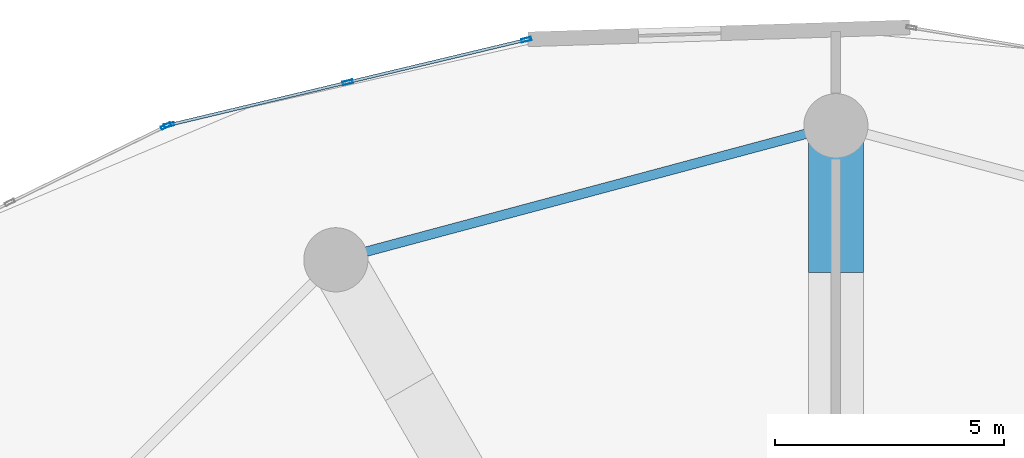
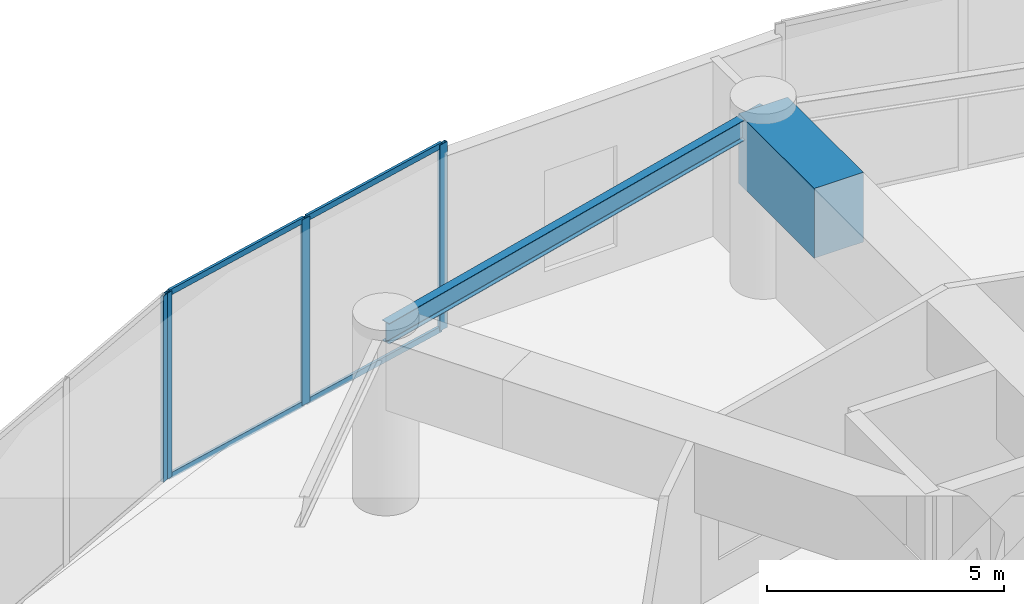
# One storey, part 16 of 27: 8 members, 2 beams, 2 elements without a shape of their own.
"""IFC4 building model written with IfcOpenShell, lengths in metres."""

from ifc_helpers import new_model, si_unit, direction, frame, origin, origin_2d, place, context, subcontext, project, spatial, rectangle, hollow_rectangle, i_section, extrude, source, transform, mapped, material, layer, layer_set, material_profile, profile_set, type_object, element, aggregate, save


model = new_model("IFC4")

# Units and contexts
model_context = context("Model", 3, precision=1e-05, world=origin(), true_north=direction((0.0, 1.0)))
body_context = subcontext(model_context, "Body", "Model", "MODEL_VIEW")
ifc_project = project(units=[si_unit("LENGTHUNIT", "METRE"), si_unit("AREAUNIT", "SQUARE_METRE"), si_unit("VOLUMEUNIT", "CUBIC_METRE"), si_unit("PLANEANGLEUNIT", "RADIAN"), si_unit("MASSUNIT", "GRAM", prefix="KILO")], contexts=[model_context])

# Site, building, storey
site_placement = place(None, origin())
site = spatial("IfcSite", under=ifc_project, at=site_placement, CompositionType="ELEMENT")
building_placement = place(site_placement, origin())
building = spatial("IfcBuilding", under=site, at=building_placement, Name="Solvirekh Grand Hotel", CompositionType="ELEMENT")
storey_placement = place(building_placement, frame((0.0, 0.0, 23.60009765625)))
storey = spatial("IfcBuildingStorey", under=building, at=storey_placement, Name="L04", CompositionType="ELEMENT", Elevation=23.60009765625)

# Beams
ifc_material_1 = material(Name="Steel S355", Category="steel")
ifc_material_profile_1 = material_profile(ifc_material_1, i_section(OverallWidth=0.208984375, OverallDepth=0.532958984375, WebThickness=0.010009765625, FlangeThickness=0.014892578125, FilletRadius=0.013916015625, at=origin_2d()), Name="W530X92")
ifc_profile_set_1 = profile_set([ifc_material_profile_1], Name="Steel S355")
beam_type_1 = type_object("IfcBeamType", Name="Spandrel_Ring_W530", PredefinedType="SPANDREL", material=ifc_profile_set_1)
beam_1_placement = place(storey_placement, frame((0.0, 21.800048828125, 4.27294921875), z_axis=(-0.965914248703, -0.258862249378, 0.0), x_axis=(0.258862249378, -0.965914248703, 0.0)))
element("IfcBeam", 1, at=beam_1_placement, inside=storey, type_object=beam_type_1, Name="L04 perimeter spandrel beam 4", PredefinedType="SPANDREL", context=body_context, shape_type="SweptSolid", body=[
    extrude(i_section(OverallWidth=0.208984375, OverallDepth=0.532958984375, WebThickness=0.010009765625, FlangeThickness=0.014892578125, FilletRadius=0.013916015625, at=origin_2d()), origin(), (0.0, 0.0, 1.0), 11.284423828125),
])
ifc_material_2 = material(Name="Concrete C60/75", Category="concrete")
ifc_material_profile_2 = material_profile(ifc_material_2, rectangle(XDim=1.199951171875, YDim=1.800048828125, at=origin_2d()), Name="RC GIRDER 1200X1800")
ifc_profile_set_2 = profile_set([ifc_material_profile_2], Name="Concrete C60/75")
beam_type_2 = type_object("IfcBeamType", Name="TransferGirder_RC1800", PredefinedType="USERDEFINED", material=ifc_profile_set_2)
beam_2_placement = place(storey_placement, frame((0.0, 18.60009765625, 3.639892578125), z_axis=(0.0, 1.0, 0.0), x_axis=(-1.0, 0.0, 0.0)))
element("IfcBeam", 2, at=beam_2_placement, inside=storey, type_object=beam_type_2, Name="L04 outer radial transfer girder 4B", ObjectType="TRANSFER GIRDER", PredefinedType="USERDEFINED", context=body_context, shape_type="SweptSolid", body=[
    extrude(rectangle(XDim=1.199951171875, YDim=1.800048828125, at=origin_2d()), origin(), (0.0, 0.0, 1.0), 3.199951171875),
])

# Curtain wall, members
ifc_material_3 = material(Name="Anodized Bronze Aluminium 6063-T6", Category="aluminium")
ifc_layer = layer(ifc_material_3, 0.219970703125)
ifc_layer_set = layer_set([ifc_layer], Name="Anodized Bronze Aluminium 6063-T6")
curtain_wall_type = type_object("IfcCurtainWallType", Name="CW_Sys1_PodiumBronzeUnitised", PredefinedType="NOTDEFINED", material=ifc_layer_set)
curtain_wall_1_placement = place(storey_placement, origin())
curtain_wall_1 = element("IfcCurtainWall", 3, at=curtain_wall_1_placement, inside=storey, type_object=curtain_wall_type, Name="L04 unitised bronze-glass curtain wall CW-L04-C08", PredefinedType="NOTDEFINED")
ifc_material_profile_3 = material_profile(ifc_material_3, hollow_rectangle(XDim=0.06494140625, YDim=0.14990234375, WallThickness=0.0048828125, at=origin_2d()), Name="ALU RHS 150X65X5")
ifc_profile_set_3 = profile_set([ifc_material_profile_3], Name="Anodized Bronze Aluminium 6063-T6")
member_type_1 = type_object("IfcMemberType", Name="CWTransom_Sys1", PredefinedType="USERDEFINED", material=ifc_profile_set_3)
shared_shape_1 = source(origin(), body_context, "Body", "SweptSolid", [
    extrude(hollow_rectangle(XDim=0.06494140625, YDim=0.14990234375, WallThickness=0.0048828125, at=origin_2d()), origin(), (0.0, 0.0, 1.0), 3.92822265625),
])
member_1_placement = place(storey_placement, frame((-6.783935546875, 23.66748046875, 0.032470703125), z_axis=(-0.972686054786, -0.23212461917, 0.0), x_axis=(0.23212461917, -0.972686054786, 0.0)))
member_1 = element("IfcMember", 4, at=member_1_placement, type_object=member_type_1, Name="U01 transom 1.1", ObjectType="TRANSOM", PredefinedType="USERDEFINED", context=body_context, shape_type="MappedRepresentation", body=[
    mapped(shared_shape_1, transform((0.0, 0.0, 0.0), x_axis=(1.0, 0.0, 0.0), y_axis=(0.0, 1.0, 0.0), z_axis=(0.0, 0.0, 1.0), scale=1.0)),
])
member_2_placement = place(storey_placement, frame((-6.783935546875, 23.66748046875, 4.767333984375), z_axis=(-0.972686054786, -0.23212461917, 0.0), x_axis=(0.23212461917, -0.972686054786, 0.0)))
member_2 = element("IfcMember", 5, at=member_2_placement, type_object=member_type_1, Name="U01 transom 1.2", ObjectType="TRANSOM", PredefinedType="USERDEFINED", context=body_context, shape_type="MappedRepresentation", body=[
    mapped(shared_shape_1, transform((0.0, 0.0, 0.0), x_axis=(1.0, 0.0, 0.0), y_axis=(0.0, 1.0, 0.0), z_axis=(0.0, 0.0, 1.0), scale=1.0)),
])
member_3_placement = place(storey_placement, frame((-10.677978515625, 22.73828125, 0.032470703125), z_axis=(-0.972686054786, -0.23212461917, 0.0), x_axis=(0.23212461917, -0.972686054786, 0.0)))
member_3 = element("IfcMember", 6, at=member_3_placement, type_object=member_type_1, Name="U01 transom 2.1", ObjectType="TRANSOM", PredefinedType="USERDEFINED", context=body_context, shape_type="MappedRepresentation", body=[
    mapped(shared_shape_1, transform((0.0, 0.0, 0.0), x_axis=(1.0, 0.0, 0.0), y_axis=(0.0, 1.0, 0.0), z_axis=(0.0, 0.0, 1.0), scale=1.0)),
])
member_4_placement = place(storey_placement, frame((-10.677978515625, 22.73828125, 4.767333984375), z_axis=(-0.972686054786, -0.23212461917, 0.0), x_axis=(0.23212461917, -0.972686054786, 0.0)))
member_4 = element("IfcMember", 7, at=member_4_placement, type_object=member_type_1, Name="U01 transom 2.2", ObjectType="TRANSOM", PredefinedType="USERDEFINED", context=body_context, shape_type="MappedRepresentation", body=[
    mapped(shared_shape_1, transform((0.0, 0.0, 0.0), x_axis=(1.0, 0.0, 0.0), y_axis=(0.0, 1.0, 0.0), z_axis=(0.0, 0.0, 1.0), scale=1.0)),
])
ifc_material_profile_4 = material_profile(ifc_material_3, hollow_rectangle(XDim=0.074951171875, YDim=0.219970703125, WallThickness=0.006103515625, at=origin_2d()), Name="ALU RHS 220X75X6")
ifc_profile_set_4 = profile_set([ifc_material_profile_4], Name="Anodized Bronze Aluminium 6063-T6")
member_type_2 = type_object("IfcMemberType", Name="CWMullion_Sys1", PredefinedType="MULLION", material=ifc_profile_set_4)
shared_shape_2 = source(origin(), body_context, "Body", "SweptSolid", [
    extrude(hollow_rectangle(XDim=0.074951171875, YDim=0.219970703125, WallThickness=0.006103515625, at=origin_2d()), origin(), (0.0, 0.0, 1.0), 4.7998046875),
])
member_5_placement = place(storey_placement, frame((-6.74755859375, 23.67626953125, 0.0), z_axis=(0.0, 0.0, 1.0), x_axis=(0.232127917823, -0.97268526758, 0.0)))
member_5 = element("IfcMember", 8, at=member_5_placement, type_object=member_type_2, Name="U01 mullion 1", PredefinedType="MULLION", context=body_context, shape_type="MappedRepresentation", body=[
    mapped(shared_shape_2, transform((0.0, 0.0, 0.0), x_axis=(1.0, 0.0, 0.0), y_axis=(0.0, 1.0, 0.0), z_axis=(0.0, 0.0, 1.0), scale=1.0)),
])
member_6_placement = place(storey_placement, frame((-10.6416015625, 22.7470703125, 0.0), z_axis=(0.0, 0.0, 1.0), x_axis=(0.232127917823, -0.97268526758, 0.0)))
member_6 = element("IfcMember", 9, at=member_6_placement, type_object=member_type_2, Name="U01 mullion 2", PredefinedType="MULLION", context=body_context, shape_type="MappedRepresentation", body=[
    mapped(shared_shape_2, transform((0.0, 0.0, 0.0), x_axis=(1.0, 0.0, 0.0), y_axis=(0.0, 1.0, 0.0), z_axis=(0.0, 0.0, 1.0), scale=1.0)),
])
member_7_placement = place(storey_placement, frame((-14.53564453125, 21.817626953125, 0.0), z_axis=(0.0, 0.0, 1.0), x_axis=(0.232127917823, -0.97268526758, 0.0)))
member_7 = element("IfcMember", 10, at=member_7_placement, type_object=member_type_2, Name="U01 mullion 3", PredefinedType="MULLION", context=body_context, shape_type="MappedRepresentation", body=[
    mapped(shared_shape_2, transform((0.0, 0.0, 0.0), x_axis=(1.0, 0.0, 0.0), y_axis=(0.0, 1.0, 0.0), z_axis=(0.0, 0.0, 1.0), scale=1.0)),
])
aggregate(curtain_wall_1, [member_5, member_6, member_7, member_1, member_2, member_3, member_4])

# Curtain wall, member
curtain_wall_2_placement = place(storey_placement, origin())
curtain_wall_2 = element("IfcCurtainWall", 11, at=curtain_wall_2_placement, inside=storey, type_object=curtain_wall_type, Name="L04 unitised bronze-glass curtain wall CW-L04-C09", PredefinedType="NOTDEFINED")
member_8_placement = place(storey_placement, frame((-14.605712890625, 21.79248046875, 0.0), z_axis=(0.0, 0.0, 1.0), x_axis=(0.439559598928, -0.898213426192, 0.0)))
member_8 = element("IfcMember", 12, at=member_8_placement, type_object=member_type_2, Name="U01 mullion 1", PredefinedType="MULLION", context=body_context, shape_type="MappedRepresentation", body=[
    mapped(shared_shape_2, transform((0.0, 0.0, 0.0), x_axis=(1.0, 0.0, 0.0), y_axis=(0.0, 1.0, 0.0), z_axis=(0.0, 0.0, 1.0), scale=1.0)),
])
aggregate(curtain_wall_2, [member_8])

save(model, "model.ifc")
